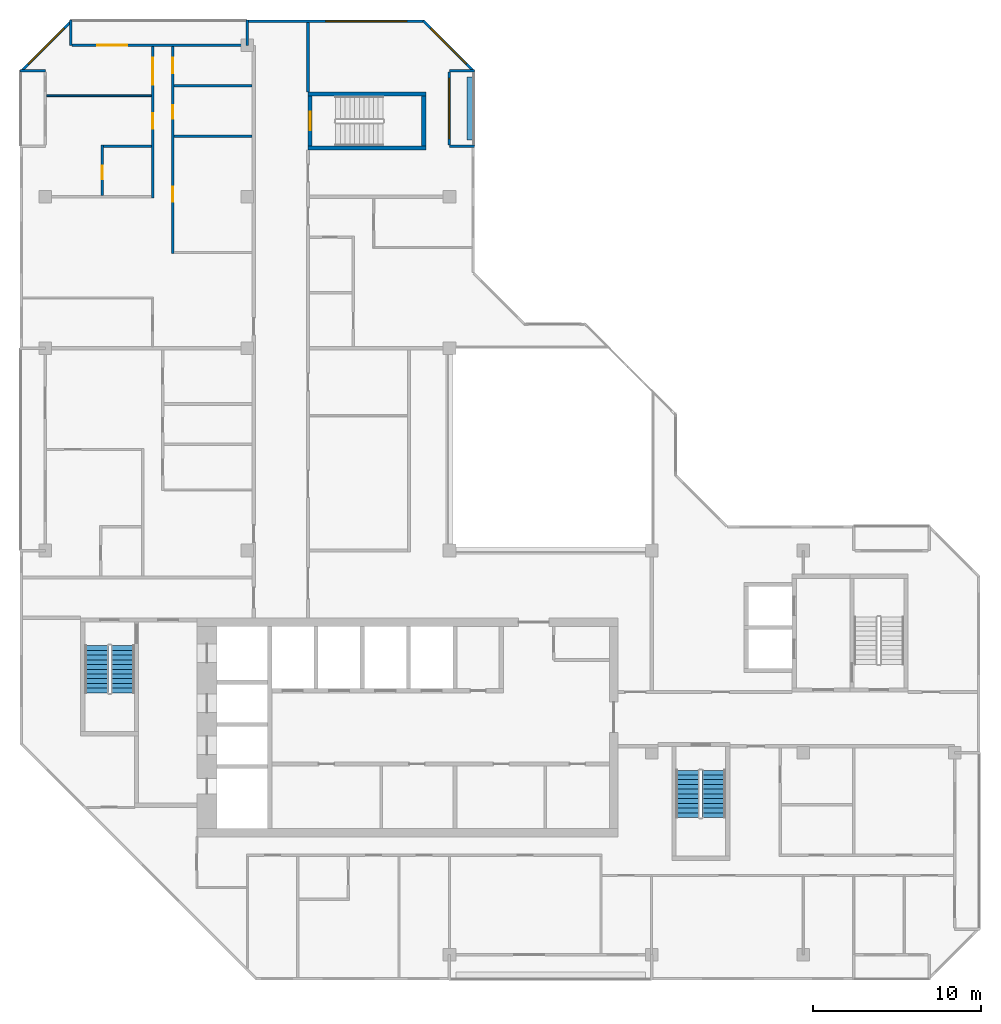
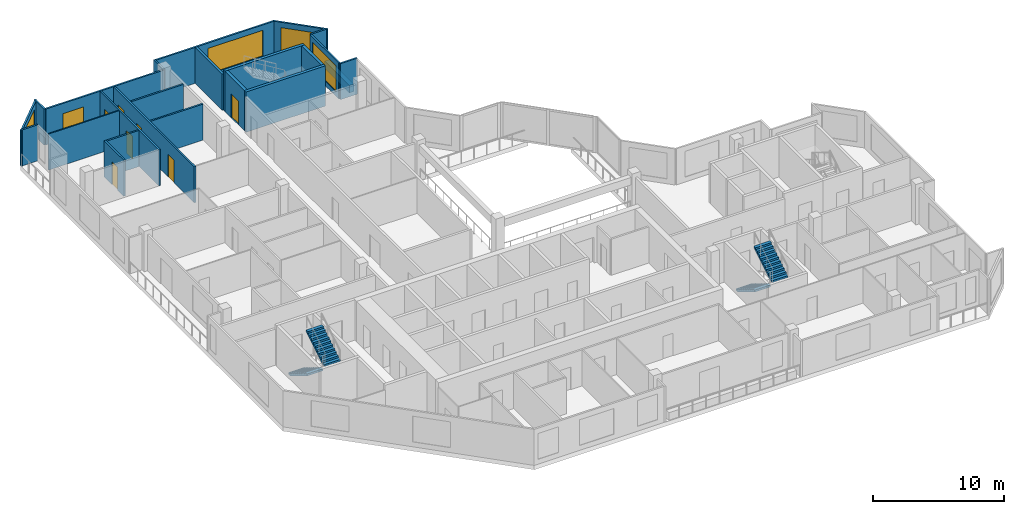
# One storey, part 9 of 12: 23 walls, 8 doors, 4 stair flights, 4 windows, 12 openings, 2 elements without a shape of their own.
"""IFC4 building model written with IfcOpenShell, lengths in metres."""

import ifcopenshell
import ifcopenshell.guid

model = None  # the IFC model being written
_history = None  # IfcOwnerHistory: only IFC2X3 demands one
_inside = {}  # id of a spatial element -> (the spatial element, [elements in it])
_under = {}  # id of a project, library or spatial element -> (it, [spatial elements below it])
_declared = {}  # id of a project -> (the project, [libraries it declares])
_typed = {}  # id of a type object -> (the type object, [elements of that type])
_made_of = {}  # id of a material, layer set ... -> (it, [elements and type objects made of it])


def new_model(schema):
    """Start an empty IFC model of exactly this schema.

    Asked for "IFC4X3", IfcOpenShell would pick the latest addendum, in which some entities
    have other attributes; the version numbers below select the first issue.
    IFC2X3 requires an IfcOwnerHistory on every rooted entity: one is made here for all.
    """
    global model, _history
    if schema == "IFC4X3":
        model = ifcopenshell.file(schema_version=(4, 3, 0, 0))
    else:
        model = ifcopenshell.file(schema=schema)
    _inside.clear()
    _under.clear()
    _declared.clear()
    _typed.clear()
    _made_of.clear()
    _history = None
    if model.schema == "IFC2X3":
        org = make("IfcOrganization", Name="unknown")
        user = make(
            "IfcPersonAndOrganization",
            ThePerson=make("IfcPerson", FamilyName="unknown"),
            TheOrganization=org,
        )
        app = make(
            "IfcApplication",
            ApplicationDeveloper=org,
            Version="unknown",
            ApplicationFullName="unknown",
            ApplicationIdentifier="unknown",
        )
        _history = make(
            "IfcOwnerHistory",
            OwningUser=user,
            OwningApplication=app,
            ChangeAction="ADDED",
            CreationDate=0,
        )
    return model


def make(cls, **values):
    """One entity of the class cls with the attributes given. An attribute that is None is left unset."""
    return model.create_entity(
        cls, **{name: value for name, value in values.items() if value is not None}
    )


def rooted(cls, **values):
    """An entity with a GlobalId (a new one), such as an element, a storey or a relation."""
    return make(cls, GlobalId=ifcopenshell.guid.new(), OwnerHistory=_history, **values)


def si_unit(unit_type, name, prefix=None):
    """IfcSIUnit, for example si_unit("LENGTHUNIT", "METRE", prefix="MILLI")."""
    return make("IfcSIUnit", UnitType=unit_type, Prefix=prefix, Name=name)


def assignment(units):
    """IfcUnitAssignment: the units of a project."""
    return None if units is None else make("IfcUnitAssignment", Units=units)


def point(xyz):
    """IfcCartesianPoint."""
    return None if xyz is None else make("IfcCartesianPoint", Coordinates=xyz)


def direction(xyz):
    """IfcDirection."""
    return None if xyz is None else make("IfcDirection", DirectionRatios=xyz)


def frame(location, z_axis=None, x_axis=None):
    """IfcAxis2Placement3D, a coordinate frame: its origin and axes. An axis left out is left unset."""
    return make(
        "IfcAxis2Placement3D",
        Location=point(location),
        Axis=direction(z_axis),
        RefDirection=direction(x_axis),
    )


def frame_2d(location, x_axis=None):
    """IfcAxis2Placement2D, a coordinate frame in the plane: its origin and x axis."""
    return make(
        "IfcAxis2Placement2D", Location=point(location), RefDirection=direction(x_axis)
    )


def origin():
    """The frame at (0, 0, 0) with its axes left unset."""
    return frame((0.0, 0.0, 0.0))


def place(relative_to, where):
    """IfcLocalPlacement: puts the frame where relative to a parent placement (None: the world)."""
    return make(
        "IfcLocalPlacement", PlacementRelTo=relative_to, RelativePlacement=where
    )


def context(
    kind, dimensions, precision=None, world=None, true_north=None, identifier=None
):
    """IfcGeometricRepresentationContext, for example the 3D "Model" context."""
    return make(
        "IfcGeometricRepresentationContext",
        ContextIdentifier=identifier,
        ContextType=kind,
        CoordinateSpaceDimension=dimensions,
        Precision=precision,
        WorldCoordinateSystem=world,
        TrueNorth=true_north,
    )


def subcontext(parent, identifier, kind, view, scale=None):
    """IfcGeometricRepresentationSubContext, for example "Body" below "Model"."""
    return make(
        "IfcGeometricRepresentationSubContext",
        ContextIdentifier=identifier,
        ContextType=kind,
        ParentContext=parent,
        TargetScale=scale,
        TargetView=view,
    )


def project(units=None, contexts=None):
    """IfcProject with its units and contexts."""
    return rooted(
        "IfcProject",
        Name="project",
        RepresentationContexts=contexts,
        UnitsInContext=assignment(units),
    )


def spatial(cls, under=None, at=None, **own):
    """A site, building, storey or space (cls), placed at a placement, below another one or the project."""
    s = rooted(cls, ObjectPlacement=at, **own)
    if under is not None:
        _under.setdefault(under.id(), (under, []))[1].append(s)
    return s


def polyline(points):
    """IfcPolyline through the points."""
    return make("IfcPolyline", Points=[point(p) for p in points])


def profile(cls, at=None, kind="AREA", **sizes):
    """A parametric profile (cls). Its sizes go by their IFC names, for example OverallWidth=200.0."""
    return make(cls, ProfileType=kind, Position=at, **sizes)


def rectangle(**sizes):
    """IfcRectangleProfileDef."""
    return profile("IfcRectangleProfileDef", **sizes)


def outline(outer, holes=None, kind="AREA"):
    """IfcArbitraryClosedProfileDef: a profile drawn as a closed curve; with holes, ...WithVoids."""
    if holes is None:
        return make("IfcArbitraryClosedProfileDef", ProfileType=kind, OuterCurve=outer)
    return make(
        "IfcArbitraryProfileDefWithVoids",
        ProfileType=kind,
        OuterCurve=outer,
        InnerCurves=holes,
    )


def extrude(swept, where, along, depth):
    """IfcExtrudedAreaSolid: the profile swept, set in the frame where, extruded along a direction by depth."""
    return make(
        "IfcExtrudedAreaSolid",
        SweptArea=swept,
        Position=where,
        ExtrudedDirection=direction(along),
        Depth=depth,
    )


def shape(context_of_items, identifier, shape_type, items):
    """IfcShapeRepresentation: the items that make up one representation, for example the "Body"."""
    return make(
        "IfcShapeRepresentation",
        ContextOfItems=context_of_items,
        RepresentationIdentifier=identifier,
        RepresentationType=shape_type,
        Items=items,
    )


def material(Name=None, Category=None):
    """IfcMaterial."""
    return make("IfcMaterial", Name=Name, Category=Category)


def layer(
    of_material, thickness, ventilated=None, Name=None, Category=None, Priority=None
):
    """IfcMaterialLayer: one layer of a wall or slab, of a material (None: an air gap)."""
    return make(
        "IfcMaterialLayer",
        Material=of_material,
        LayerThickness=thickness,
        IsVentilated=ventilated,
        Name=Name,
        Category=Category,
        Priority=Priority,
    )


def layer_set(layers, Name=None):
    """IfcMaterialLayerSet."""
    return make("IfcMaterialLayerSet", MaterialLayers=layers, LayerSetName=Name)


def made_of(thing, what):
    """Note that an element or type object is made of a material, layer set ...; save() writes the relation."""
    if what is not None:
        _made_of.setdefault(what.id(), (what, []))[1].append(thing)
    return thing


def type_object(cls, material=None, **own):
    """A type object (cls), such as IfcWallType, which elements share."""
    return made_of(rooted(cls, **own), material)


def element(
    cls,
    number,
    at=None,
    inside=None,
    cuts=None,
    type_object=None,
    material=None,
    context=None,
    identifier="Body",
    shape_type=None,
    held_by="IfcProductDefinitionShape",
    body=None,
    shapes=None,
    **own,
):
    """One element of the class cls, such as IfcWall. Its Tag is "e" and its number.

    at: its placement. inside: the storey or other place that contains it. cuts: it is an
    opening in that element (IfcRelVoidsElement). A single representation is given by context,
    identifier, shape_type and body (its items); several are given by shapes. held_by: the class
    of the entity that holds the representations. save() writes the other relations.
    """
    e = rooted(cls, Tag="e%d" % number, ObjectPlacement=at, **own)
    if body is not None:
        shapes = [shape(context, identifier, shape_type, body)]
    if shapes is not None:
        e.Representation = make(held_by, Representations=shapes)
    if inside is not None:
        _inside.setdefault(inside.id(), (inside, []))[1].append(e)
    if cuts is not None:
        rooted(
            "IfcRelVoidsElement", RelatingBuildingElement=cuts, RelatedOpeningElement=e
        )
    if type_object is not None:
        _typed.setdefault(type_object.id(), (type_object, []))[1].append(e)
    return made_of(e, material)


def fill(opening, filler):
    """IfcRelFillsElement: the door or window that sits in an opening."""
    return rooted(
        "IfcRelFillsElement",
        RelatingOpeningElement=opening,
        RelatedBuildingElement=filler,
    )


def aggregate(whole, parts):
    """IfcRelAggregates: a whole, such as a stair, and the parts it consists of."""
    return rooted("IfcRelAggregates", RelatingObject=whole, RelatedObjects=parts)


def save(model, path):
    """Write the relations noted so far, then the file.

    IfcRelAggregates (storeys below a building ...), IfcRelContainedInSpatialStructure (elements
    in a storey), IfcRelDefinesByType, IfcRelAssociatesMaterial and IfcRelDeclares: one each for
    every whole, place, type object, material and project.
    """
    for whole, parts in _under.values():
        aggregate(whole, parts)
    for where, things in _inside.values():
        rooted(
            "IfcRelContainedInSpatialStructure",
            RelatedElements=things,
            RelatingStructure=where,
        )
    for kind, things in _typed.values():
        rooted("IfcRelDefinesByType", RelatedObjects=things, RelatingType=kind)
    for what, things in _made_of.values():
        rooted("IfcRelAssociatesMaterial", RelatedObjects=things, RelatingMaterial=what)
    for by, libraries in _declared.values():
        rooted("IfcRelDeclares", RelatingContext=by, RelatedDefinitions=libraries)
    model.write(path)


model = new_model("IFC4")

# Units and contexts
model_context = context("Model", 3, precision=1e-05, world=origin(), true_north=direction((0.0, 1.0)))
body_context = subcontext(model_context, "Body", "Model", "MODEL_VIEW")
ifc_project = project(units=[si_unit("LENGTHUNIT", "METRE"), si_unit("AREAUNIT", "SQUARE_METRE"), si_unit("VOLUMEUNIT", "CUBIC_METRE"), si_unit("PLANEANGLEUNIT", "RADIAN"), si_unit("MASSUNIT", "GRAM", prefix="KILO")], contexts=[model_context])

# Site, building, storey
site_placement = place(None, origin())
site = spatial("IfcSite", under=ifc_project, at=site_placement, CompositionType="ELEMENT")
building_placement = place(site_placement, origin())
building = spatial("IfcBuilding", under=site, at=building_placement, Name="Chenar Terraces", CompositionType="ELEMENT")
storey_placement = place(building_placement, frame((0.0, 0.0, 372.64990234375)))
storey = spatial("IfcBuildingStorey", under=building, at=storey_placement, Name="L87", CompositionType="ELEMENT", Elevation=372.64990234375)

# Walls
ifc_material_1 = material(Name="Concrete C50/60", Category="concrete")
ifc_layer_1 = layer(ifc_material_1, 0.25)
ifc_layer_set_1 = layer_set([ifc_layer_1], Name="Concrete C50/60")
wall_type_1 = type_object("IfcWallType", Name="Core wall 250 Concrete C50/60", PredefinedType="SHEAR", material=ifc_layer_set_1)
for number, where, z_axis, x_axis, name in (
    (1, (15.60009765625, 47.89990234375, 0.0), (0.0, 0.0, 1.0), (1.0, 0.0, 0.0), "Core wall ST4_S L87"),
    (2, (15.60009765625, 51.10009765625, 0.0), (0.0, 0.0, 1.0), (1.0, 0.0, 0.0), "Core wall ST4_N L87"),
):
    element("IfcWall", number, at=place(storey_placement, frame(where, z_axis=z_axis, x_axis=x_axis)), inside=storey, type_object=wall_type_1, Name=name, PredefinedType="SHEAR", context=body_context, shape_type="SweptSolid", body=[
        extrude(rectangle(XDim=7.0, YDim=0.25, at=frame_2d((3.5, 0.0))), origin(), (0.0, 0.0, 1.0), 3.75),
    ])

# Wall, opening, door
wall_1_placement = place(storey_placement, frame((15.72509765625, 48.02490234375, 0.0), z_axis=(0.0, 0.0, 1.0), x_axis=(0.0, 1.0, 0.0)))
wall_1 = element("IfcWall", 3, at=wall_1_placement, inside=storey, type_object=wall_type_1, Name="Core wall ST4_W L87", PredefinedType="SHEAR", context=body_context, shape_type="SweptSolid", body=[
    extrude(rectangle(XDim=2.9501953125, YDim=0.25, at=frame_2d((1.47509765625, 0.0))), origin(), (0.0, 0.0, 1.0), 3.75),
])
opening_1_placement = place(wall_1_placement, frame((0.925048828125, 0.0, 0.0)))
opening_1 = element("IfcOpeningElement", 4, at=opening_1_placement, cuts=wall_1, Name="Opening DL87-C9", PredefinedType="OPENING", context=body_context, shape_type="SweptSolid", body=[
    extrude(rectangle(XDim=1.10009765625, YDim=2.199951171875, at=frame_2d((0.550048828125, 1.10009765625))), frame((0.0, 0.135009765625, 0.0), z_axis=(0.0, -1.0, 0.0), x_axis=(1.0, 0.0, 0.0)), (0.0, 0.0, 1.0), 0.27001953125),
])
ifc_material_2 = material(Name="Steel-framed fire-resisting door leaf", Category="steel")
door_type_1 = type_object("IfcDoorType", Name="Stair fire door FD60 1100 x 2200", OperationType="SINGLE_SWING_LEFT", PredefinedType="DOOR", material=ifc_material_2)
door_1_placement = place(opening_1_placement, frame((1.10009765625, 0.0, 0.0), z_axis=(0.0, 0.0, 1.0), x_axis=(-1.0, 0.0, 0.0)))
door_1 = element("IfcDoor", 5, at=door_1_placement, inside=storey, type_object=door_type_1, Name="Stair door DL87-C9", OperationType="SINGLE_SWING_RIGHT", OverallHeight=2.199951171875, OverallWidth=1.10009765625, PredefinedType="DOOR", context=body_context, shape_type="SweptSolid", body=[
    extrude(rectangle(XDim=1.10009765625, YDim=2.199951171875, at=frame_2d((0.550048828125, 1.10009765625))), frame((0.0, 0.02490234375, 0.0), z_axis=(0.0, -1.0, 0.0), x_axis=(1.0, 0.0, 0.0)), (0.0, 0.0, 1.0), 0.050048828125),
])
fill(opening_1, door_1)

# Walls
wall_2_placement = place(storey_placement, frame((22.47509765625, 48.02490234375, 0.0), z_axis=(0.0, 0.0, 1.0), x_axis=(0.0, 1.0, 0.0)))
element("IfcWall", 6, at=wall_2_placement, inside=storey, type_object=wall_type_1, Name="Core wall ST4_E L87", PredefinedType="SHEAR", context=body_context, shape_type="SweptSolid", body=[
    extrude(rectangle(XDim=2.9501953125, YDim=0.25, at=frame_2d((1.47509765625, 0.0))), origin(), (0.0, 0.0, 1.0), 3.75),
])
ifc_material_3 = material(Name="Gypsum board on steel studs with fire boards", Category="steel")
ifc_layer_2 = layer(ifc_material_3, 0.199951171875)
ifc_layer_set_2 = layer_set([ifc_layer_2], Name="Gypsum board on steel studs with fire boards")
wall_type_2 = type_object("IfcWallType", Name="Corridor wall 200", PredefinedType="PARTITIONING", material=ifc_layer_set_2)
wall_3_placement = place(storey_placement, frame((15.60009765625, 51.22509765625, 0.0), z_axis=(0.0, 0.0, 1.0), x_axis=(0.0, 1.0, 0.0)))
element("IfcWall", 7, at=wall_3_placement, inside=storey, type_object=wall_type_2, Name="Partition L87-032", PredefinedType="PARTITIONING", context=body_context, shape_type="SweptSolid", body=[
    extrude(rectangle(XDim=4.125, YDim=0.199951171875, at=frame_2d((2.0625, 0.0))), origin(), (0.0, 0.0, 1.0), 3.35009765625),
])

# Wall, opening, window
ifc_material_4 = material(Name="Aluminium framed glazing", Category="aluminium")
ifc_layer_3 = layer(ifc_material_4, 0.14990234375)
ifc_layer_set_3 = layer_set([ifc_layer_3], Name="Aluminium framed glazing")
wall_type_3 = type_object("IfcWallType", Name="Glazed flush facade wall 150", PredefinedType="SOLIDWALL", material=ifc_layer_set_3)
wall_4_placement = place(storey_placement, frame((22.5, 55.425048828125, 0.0), z_axis=(0.0, 0.0, 1.0), x_axis=(-1.0, 0.0, 0.0)))
wall_4 = element("IfcWall", 8, at=wall_4_placement, inside=storey, type_object=wall_type_3, Name="Glazed flush facade wall", PredefinedType="SOLIDWALL", context=body_context, shape_type="SweptSolid", body=[
    extrude(rectangle(XDim=10.425048828125, YDim=0.14990234375, at=frame_2d((5.21240234375, 0.0))), origin(), (0.0, 0.0, 1.0), 3.35009765625),
])
opening_2_placement = place(wall_4_placement, frame((1.050048828125, 0.0, 0.449951171875)))
opening_2 = element("IfcOpeningElement", 9, at=opening_2_placement, cuts=wall_4, Name="Opening W480x240", PredefinedType="OPENING", context=body_context, shape_type="SweptSolid", body=[
    extrude(rectangle(XDim=4.800048828125, YDim=2.39990234375, at=frame_2d((2.39990234375, 1.199951171875))), frame((0.0, 0.0849609375, 0.0), z_axis=(0.0, -1.0, 0.0), x_axis=(1.0, 0.0, 0.0)), (0.0, 0.0, 1.0), 0.169921875),
])
ifc_material_5 = material(Name="Low emissivity double glazing, aluminium frame", Category="aluminium")
window_type_1 = type_object("IfcWindowType", Name="Fixed light 4800 x 2400", PartitioningType="SINGLE_PANEL", PredefinedType="WINDOW", material=ifc_material_5)
window_1_placement = place(opening_2_placement, origin())
window_1 = element("IfcWindow", 10, at=window_1_placement, inside=storey, type_object=window_type_1, Name="Window", OverallHeight=2.39990234375, OverallWidth=4.800048828125, PartitioningType="SINGLE_PANEL", PredefinedType="WINDOW", context=body_context, shape_type="SweptSolid", body=[
    extrude(rectangle(XDim=4.800048828125, YDim=2.39990234375, at=frame_2d((2.39990234375, 1.199951171875))), frame((0.0, 0.030029296875, 0.0), z_axis=(0.0, -1.0, 0.0), x_axis=(1.0, 0.0, 0.0)), (0.0, 0.0, 1.0), 0.06005859375),
])
fill(opening_2, window_1)

ifc_material_6 = material(Name="Aluminium framed glazing", Category="aluminium")
ifc_layer_4 = layer(ifc_material_6, 0.14990234375)
ifc_layer_set_4 = layer_set([ifc_layer_4], Name="Aluminium framed glazing")
wall_type_4 = type_object("IfcWallType", Name="Glazed loggia back wall 150", PredefinedType="SOLIDWALL", material=ifc_layer_set_4)
wall_5_placement = place(storey_placement, frame((24.0, 48.074951171875, 0.0), z_axis=(0.0, 0.0, 1.0), x_axis=(0.0, 1.0, 0.0)))
wall_5 = element("IfcWall", 11, at=wall_5_placement, inside=storey, type_object=wall_type_4, Name="Glazed loggia back wall", PredefinedType="SOLIDWALL", context=body_context, shape_type="SweptSolid", body=[
    extrude(rectangle(XDim=4.35009765625, YDim=0.14990234375, at=frame_2d((2.175048828125, 0.0))), origin(), (0.0, 0.0, 1.0), 3.35009765625),
])
opening_3_placement = place(wall_5_placement, frame((0.375, 0.0, 0.449951171875)))
opening_3 = element("IfcOpeningElement", 12, at=opening_3_placement, cuts=wall_5, Name="Opening W360x240", PredefinedType="OPENING", context=body_context, shape_type="SweptSolid", body=[
    extrude(rectangle(XDim=3.60009765625, YDim=2.39990234375, at=frame_2d((1.800048828125, 1.199951171875))), frame((0.0, 0.0849609375, 0.0), z_axis=(0.0, -1.0, 0.0), x_axis=(1.0, 0.0, 0.0)), (0.0, 0.0, 1.0), 0.169921875),
])
ifc_material_7 = material(Name="Low emissivity double glazing, aluminium frame", Category="aluminium")
window_type_2 = type_object("IfcWindowType", Name="Fixed light 3600 x 2400", PartitioningType="SINGLE_PANEL", PredefinedType="WINDOW", material=ifc_material_7)
window_2_placement = place(opening_3_placement, origin())
window_2 = element("IfcWindow", 13, at=window_2_placement, inside=storey, type_object=window_type_2, Name="Window", OverallHeight=2.39990234375, OverallWidth=3.60009765625, PartitioningType="SINGLE_PANEL", PredefinedType="WINDOW", context=body_context, shape_type="SweptSolid", body=[
    extrude(rectangle(XDim=3.60009765625, YDim=2.39990234375, at=frame_2d((1.800048828125, 1.199951171875))), frame((0.0, 0.030029296875, 0.0), z_axis=(0.0, -1.0, 0.0), x_axis=(1.0, 0.0, 0.0)), (0.0, 0.0, 1.0), 0.06005859375),
])
fill(opening_3, window_2)

# Wall, opening, door
wall_6_placement = place(storey_placement, frame((11.925048828125, 54.0, 0.0), z_axis=(0.0, 0.0, 1.0), x_axis=(-1.0, 0.0, 0.0)))
wall_6 = element("IfcWall", 14, at=wall_6_placement, inside=storey, type_object=wall_type_4, Name="Glazed loggia back wall", PredefinedType="SOLIDWALL", context=body_context, shape_type="SweptSolid", body=[
    extrude(rectangle(XDim=10.35009765625, YDim=0.14990234375, at=frame_2d((5.175048828125, 0.0))), origin(), (0.0, 0.0, 1.0), 3.35009765625),
])
opening_4_placement = place(wall_6_placement, frame((7.050048828125, 0.0, 0.0)))
opening_4 = element("IfcOpeningElement", 15, at=opening_4_placement, cuts=wall_6, Name="Opening DL87-G1", PredefinedType="OPENING", context=body_context, shape_type="SweptSolid", body=[
    extrude(rectangle(XDim=1.800048828125, YDim=2.39990234375, at=frame_2d((0.89990234375, 1.199951171875))), frame((0.0, 0.0849609375, 0.0), z_axis=(0.0, -1.0, 0.0), x_axis=(1.0, 0.0, 0.0)), (0.0, 0.0, 1.0), 0.169921875),
])
ifc_material_8 = material(Name="Low emissivity double glazing, aluminium frame", Category="aluminium")
door_type_2 = type_object("IfcDoorType", Name="Loggia glazed double door 1800 x 2400", OperationType="DOUBLE_DOOR_SINGLE_SWING", PredefinedType="DOOR", material=ifc_material_8)
door_2_placement = place(opening_4_placement, frame((1.800048828125, 0.0, 0.0), z_axis=(0.0, 0.0, 1.0), x_axis=(-1.0, 0.0, 0.0)))
door_2 = element("IfcDoor", 16, at=door_2_placement, inside=storey, type_object=door_type_2, Name="Loggia glazed door", OperationType="DOUBLE_DOOR_SINGLE_SWING", OverallHeight=2.39990234375, OverallWidth=1.800048828125, PredefinedType="DOOR", context=body_context, shape_type="SweptSolid", body=[
    extrude(rectangle(XDim=1.800048828125, YDim=2.39990234375, at=frame_2d((0.89990234375, 1.199951171875))), frame((0.0, 0.02490234375, 0.0), z_axis=(0.0, -1.0, 0.0), x_axis=(1.0, 0.0, 0.0)), (0.0, 0.0, 1.0), 0.050048828125),
])
fill(opening_4, door_2)

# Walls
ifc_material_9 = material(Name="Gypsum board on steel studs", Category="steel")
ifc_layer_5 = layer(ifc_material_9, 0.10009765625)
ifc_layer_set_5 = layer_set([ifc_layer_5], Name="Gypsum board on steel studs")
wall_type_5 = type_object("IfcWallType", Name="Gypsum partition 100", PredefinedType="PARTITIONING", material=ifc_layer_set_5)
wall_7_placement = place(storey_placement, frame((0.073974609375, 51.0, 0.0), z_axis=(0.0, 0.0, 1.0), x_axis=(1.0, 0.0, 0.0)))
element("IfcWall", 17, at=wall_7_placement, inside=storey, type_object=wall_type_5, Name="Partition L87-007", PredefinedType="PARTITIONING", context=body_context, shape_type="SweptSolid", body=[
    extrude(rectangle(XDim=6.22607421875, YDim=0.10009765625, at=frame_2d((3.113037109375, 0.0))), origin(), (0.0, 0.0, 1.0), 3.35009765625),
])
ifc_material_10 = material(Name="Terracotta cladding on insulated backing", Category="masonry")
ifc_layer_6 = layer(ifc_material_10, 0.14990234375)
ifc_layer_set_6 = layer_set([ifc_layer_6], Name="Terracotta cladding on insulated backing")
wall_type_6 = type_object("IfcWallType", Name="Loggia return wall 150", PredefinedType="SOLIDWALL", material=ifc_layer_set_6)
for number, where, z_axis, x_axis, name in (
    (18, (25.5, 48.0, 0.0), (0.0, 0.0, 1.0), (-1.0, 0.0, 0.0), "Loggia return wall"),
    (19, (25.5, 52.5, 0.0), (0.0, 0.0, 1.0), (-1.0, 0.0, 0.0), "Loggia return wall"),
    (20, (12.0, 55.5, 0.0), (0.0, 0.0, 1.0), (0.0, -1.0, 0.0), "Loggia return wall"),
    (21, (1.5, 55.5, 0.0), (0.0, 0.0, 1.0), (0.0, -1.0, 0.0), "Loggia return wall"),
    (22, (-1.5, 52.5, 0.0), (0.0, 0.0, 1.0), (1.0, 0.0, 0.0), "Loggia return wall"),
):
    element("IfcWall", number, at=place(storey_placement, frame(where, z_axis=z_axis, x_axis=x_axis)), inside=storey, type_object=wall_type_6, Name=name, PredefinedType="SOLIDWALL", context=body_context, shape_type="SweptSolid", body=[
        extrude(rectangle(XDim=1.5, YDim=0.14990234375, at=frame_2d((0.75, 0.0))), origin(), (0.0, 0.0, 1.0), 3.35009765625),
    ])

# Wall, opening, window
ifc_material_11 = material(Name="Terracotta cladding on insulated backing", Category="masonry")
ifc_layer_7 = layer(ifc_material_11, 0.14990234375)
ifc_layer_set_7 = layer_set([ifc_layer_7], Name="Terracotta cladding on insulated backing")
wall_type_7 = type_object("IfcWallType", Name="Terracotta rainscreen wall 150", PredefinedType="SOLIDWALL", material=ifc_layer_set_7)
wall_8_placement = place(storey_placement, frame((25.447021484375, 52.447021484375, 0.0), z_axis=(0.0, 0.0, 1.0), x_axis=(-0.707106781187, 0.707106781187, 0.0)))
wall_8 = element("IfcWall", 23, at=wall_8_placement, inside=storey, type_object=wall_type_7, Name="Terracotta rainscreen wall", PredefinedType="SOLIDWALL", context=body_context, shape_type="SweptSolid", body=[
    extrude(rectangle(XDim=4.24267578125, YDim=0.14990234375, at=frame_2d((2.121337890625, 0.0))), origin(), (0.0, 0.0, 1.0), 3.35009765625),
])
opening_5_placement = place(wall_8_placement, frame((0.621337890625, 0.0, 0.449951171875)))
opening_5 = element("IfcOpeningElement", 24, at=opening_5_placement, cuts=wall_8, Name="Opening W300x240", PredefinedType="OPENING", context=body_context, shape_type="SweptSolid", body=[
    extrude(rectangle(XDim=3.0, YDim=2.39990234375, at=frame_2d((1.5, 1.199951171875))), frame((0.0, 0.0849609375, 0.0), z_axis=(0.0, -1.0, 0.0), x_axis=(1.0, 0.0, 0.0)), (0.0, 0.0, 1.0), 0.169921875),
])
ifc_material_12 = material(Name="Low emissivity double glazing, aluminium frame", Category="aluminium")
window_type_3 = type_object("IfcWindowType", Name="Fixed light 3000 x 2400", PartitioningType="SINGLE_PANEL", PredefinedType="WINDOW", material=ifc_material_12)
window_3_placement = place(opening_5_placement, origin())
window_3 = element("IfcWindow", 25, at=window_3_placement, inside=storey, type_object=window_type_3, Name="Window", OverallHeight=2.39990234375, OverallWidth=3.0, PartitioningType="SINGLE_PANEL", PredefinedType="WINDOW", context=body_context, shape_type="SweptSolid", body=[
    extrude(rectangle(XDim=3.0, YDim=2.39990234375, at=frame_2d((1.5, 1.199951171875))), frame((0.0, 0.030029296875, 0.0), z_axis=(0.0, -1.0, 0.0), x_axis=(1.0, 0.0, 0.0)), (0.0, 0.0, 1.0), 0.06005859375),
])
fill(opening_5, window_3)

wall_9_placement = place(storey_placement, frame((1.552978515625, 55.447021484375, 0.0), z_axis=(0.0, 0.0, 1.0), x_axis=(-0.707106781187, -0.707106781187, 0.0)))
wall_9 = element("IfcWall", 26, at=wall_9_placement, inside=storey, type_object=wall_type_7, Name="Terracotta rainscreen wall", PredefinedType="SOLIDWALL", context=body_context, shape_type="SweptSolid", body=[
    extrude(rectangle(XDim=4.24267578125, YDim=0.14990234375, at=frame_2d((2.121337890625, 0.0))), origin(), (0.0, 0.0, 1.0), 3.35009765625),
])
opening_6_placement = place(wall_9_placement, frame((0.621337890625, 0.0, 0.449951171875)))
opening_6 = element("IfcOpeningElement", 27, at=opening_6_placement, cuts=wall_9, Name="Opening W300x240", PredefinedType="OPENING", context=body_context, shape_type="SweptSolid", body=[
    extrude(rectangle(XDim=3.0, YDim=2.39990234375, at=frame_2d((1.5, 1.199951171875))), frame((0.0, 0.0849609375, 0.0), z_axis=(0.0, -1.0, 0.0), x_axis=(1.0, 0.0, 0.0)), (0.0, 0.0, 1.0), 0.169921875),
])
window_4_placement = place(opening_6_placement, origin())
window_4 = element("IfcWindow", 28, at=window_4_placement, inside=storey, type_object=window_type_3, Name="Window", OverallHeight=2.39990234375, OverallWidth=3.0, PartitioningType="SINGLE_PANEL", PredefinedType="WINDOW", context=body_context, shape_type="SweptSolid", body=[
    extrude(rectangle(XDim=3.0, YDim=2.39990234375, at=frame_2d((1.5, 1.199951171875))), frame((0.0, 0.030029296875, 0.0), z_axis=(0.0, -1.0, 0.0), x_axis=(1.0, 0.0, 0.0)), (0.0, 0.0, 1.0), 0.06005859375),
])
fill(opening_6, window_4)

# Wall
ifc_material_13 = material(Name="GRP planter trough")
ifc_layer_8 = layer(ifc_material_13, 0.39990234375)
ifc_layer_set_8 = layer_set([ifc_layer_8], Name="GRP planter trough")
wall_type_8 = type_object("IfcWallType", Name="Vertical greenery planter 400", PredefinedType="SOLIDWALL", material=ifc_layer_set_8)
wall_10_placement = place(storey_placement, frame((25.22900390625, 48.375, 0.0), z_axis=(0.0, 0.0, 1.0), x_axis=(0.0, 1.0, 0.0)))
element("IfcWall", 29, at=wall_10_placement, inside=storey, type_object=wall_type_8, Name="Vertical greenery planter", PredefinedType="SOLIDWALL", context=body_context, shape_type="SweptSolid", body=[
    extrude(rectangle(XDim=3.75, YDim=0.39990234375, at=frame_2d((1.875, 0.0))), origin(), (0.0, 0.0, 1.0), 0.7001953125),
])

# Wall, opening, door
ifc_material_14 = material(Name="Moisture-resistant gypsum board on steel studs", Category="steel")
ifc_layer_9 = layer(ifc_material_14, 0.14990234375)
ifc_layer_set_9 = layer_set([ifc_layer_9], Name="Moisture-resistant gypsum board on steel studs")
wall_type_9 = type_object("IfcWallType", Name="Wet-room partition 150", PredefinedType="PARTITIONING", material=ifc_layer_set_9)
wall_11_placement = place(storey_placement, frame((3.375, 45.074951171875, 0.0), z_axis=(0.0, 0.0, 1.0), x_axis=(0.0, 1.0, 0.0)))
wall_11 = element("IfcWall", 30, at=wall_11_placement, inside=storey, type_object=wall_type_9, Name="Partition L87-011", PredefinedType="PARTITIONING", context=body_context, shape_type="SweptSolid", body=[
    extrude(rectangle(XDim=3.0, YDim=0.14990234375, at=frame_2d((1.5, 0.0))), origin(), (0.0, 0.0, 1.0), 3.35009765625),
])
opening_7_placement = place(wall_11_placement, frame((0.97509765625, 0.0, 0.0)))
opening_7 = element("IfcOpeningElement", 31, at=opening_7_placement, cuts=wall_11, Name="Opening DL87-11", PredefinedType="OPENING", context=body_context, shape_type="SweptSolid", body=[
    extrude(rectangle(XDim=0.800048828125, YDim=2.10009765625, at=frame_2d((0.39990234375, 1.050048828125))), frame((0.0, 0.0849609375, 0.0), z_axis=(0.0, -1.0, 0.0), x_axis=(1.0, 0.0, 0.0)), (0.0, 0.0, 1.0), 0.169921875),
])
ifc_material_15 = material(Name="Veneered timber door leaf", Category="wood")
door_type_3 = type_object("IfcDoorType", Name="Door 800 x 2100", OperationType="SINGLE_SWING_LEFT", PredefinedType="DOOR", material=ifc_material_15)
door_3_placement = place(opening_7_placement, frame((0.800048828125, 0.0, 0.0), z_axis=(0.0, 0.0, 1.0), x_axis=(-1.0, 0.0, 0.0)))
door_3 = element("IfcDoor", 32, at=door_3_placement, inside=storey, type_object=door_type_3, Name="Door DL87-11", OperationType="SINGLE_SWING_RIGHT", OverallHeight=2.10009765625, OverallWidth=0.800048828125, PredefinedType="DOOR", context=body_context, shape_type="SweptSolid", body=[
    extrude(rectangle(XDim=0.800048828125, YDim=2.10009765625, at=frame_2d((0.39990234375, 1.050048828125))), frame((0.0, 0.02490234375, 0.0), z_axis=(0.0, -1.0, 0.0), x_axis=(1.0, 0.0, 0.0)), (0.0, 0.0, 1.0), 0.050048828125),
])
fill(opening_7, door_3)

# Wall
wall_12_placement = place(storey_placement, frame((3.449951171875, 48.0, 0.0), z_axis=(0.0, 0.0, 1.0), x_axis=(1.0, 0.0, 0.0)))
element("IfcWall", 33, at=wall_12_placement, inside=storey, type_object=wall_type_9, Name="Partition L87-012", PredefinedType="PARTITIONING", context=body_context, shape_type="SweptSolid", body=[
    extrude(rectangle(XDim=2.85009765625, YDim=0.14990234375, at=frame_2d((1.425048828125, 0.0))), origin(), (0.0, 0.0, 1.0), 3.35009765625),
])

# Wall, openings, doors
wall_13_placement = place(storey_placement, frame((6.375, 44.925048828125, 0.0), z_axis=(0.0, 0.0, 1.0), x_axis=(0.0, 1.0, 0.0)))
wall_13 = element("IfcWall", 34, at=wall_13_placement, inside=storey, type_object=wall_type_9, Name="Partition L87-015", PredefinedType="PARTITIONING", context=body_context, shape_type="SweptSolid", body=[
    extrude(rectangle(XDim=9.0009765625, YDim=0.14990234375, at=frame_2d((4.50048828125, 0.0))), origin(), (0.0, 0.0, 1.0), 3.35009765625),
])
opening_8_placement = place(wall_13_placement, frame((4.125, 0.0, 0.0)))
opening_8 = element("IfcOpeningElement", 35, at=opening_8_placement, cuts=wall_13, Name="Opening DL87-10", PredefinedType="OPENING", context=body_context, shape_type="SweptSolid", body=[
    extrude(rectangle(XDim=0.89990234375, YDim=2.10009765625, at=frame_2d((0.449951171875, 1.050048828125))), frame((0.0, 0.0849609375, 0.0), z_axis=(0.0, -1.0, 0.0), x_axis=(1.0, 0.0, 0.0)), (0.0, 0.0, 1.0), 0.169921875),
])
opening_9_placement = place(wall_13_placement, frame((6.72509765625, 0.0, 0.0)))
opening_9 = element("IfcOpeningElement", 36, at=opening_9_placement, cuts=wall_13, Name="Opening DL87-14", PredefinedType="OPENING", context=body_context, shape_type="SweptSolid", body=[
    extrude(rectangle(XDim=1.60009765625, YDim=2.10009765625, at=frame_2d((0.800048828125, 1.050048828125))), frame((0.0, 0.0849609375, 0.0), z_axis=(0.0, -1.0, 0.0), x_axis=(1.0, 0.0, 0.0)), (0.0, 0.0, 1.0), 0.169921875),
])
ifc_material_16 = material(Name="Veneered timber door leaf", Category="wood")
door_type_4 = type_object("IfcDoorType", Name="Door 900 x 2100", OperationType="SINGLE_SWING_LEFT", PredefinedType="DOOR", material=ifc_material_16)
door_4_placement = place(opening_8_placement, origin())
door_4 = element("IfcDoor", 37, at=door_4_placement, inside=storey, type_object=door_type_4, Name="Door DL87-10", OperationType="SINGLE_SWING_LEFT", OverallHeight=2.10009765625, OverallWidth=0.89990234375, PredefinedType="DOOR", context=body_context, shape_type="SweptSolid", body=[
    extrude(rectangle(XDim=0.89990234375, YDim=2.10009765625, at=frame_2d((0.449951171875, 1.050048828125))), frame((0.0, 0.02490234375, 0.0), z_axis=(0.0, -1.0, 0.0), x_axis=(1.0, 0.0, 0.0)), (0.0, 0.0, 1.0), 0.050048828125),
])
fill(opening_8, door_4)
ifc_material_17 = material(Name="Veneered timber door leaf", Category="wood")
door_type_5 = type_object("IfcDoorType", Name="Double door 1600 x 2100", OperationType="DOUBLE_DOOR_SINGLE_SWING", PredefinedType="DOOR", material=ifc_material_17)
door_5_placement = place(opening_9_placement, origin())
door_5 = element("IfcDoor", 38, at=door_5_placement, inside=storey, type_object=door_type_5, Name="Door DL87-14", OperationType="DOUBLE_DOOR_SINGLE_SWING", OverallHeight=2.10009765625, OverallWidth=1.60009765625, PredefinedType="DOOR", context=body_context, shape_type="SweptSolid", body=[
    extrude(rectangle(XDim=1.60009765625, YDim=2.10009765625, at=frame_2d((0.800048828125, 1.050048828125))), frame((0.0, 0.02490234375, 0.0), z_axis=(0.0, -1.0, 0.0), x_axis=(1.0, 0.0, 0.0)), (0.0, 0.0, 1.0), 0.050048828125),
])
fill(opening_9, door_5)

wall_14_placement = place(storey_placement, frame((7.574951171875, 41.64990234375, 0.0), z_axis=(0.0, 0.0, 1.0), x_axis=(0.0, 1.0, 0.0)))
wall_14 = element("IfcWall", 39, at=wall_14_placement, inside=storey, type_object=wall_type_9, Name="Partition L87-020", PredefinedType="PARTITIONING", context=body_context, shape_type="SweptSolid", body=[
    extrude(rectangle(XDim=12.276123046875, YDim=0.14990234375, at=frame_2d((6.13818359375, 0.0))), origin(), (0.0, 0.0, 1.0), 3.35009765625),
])
opening_10_placement = place(wall_14_placement, frame((8.0, 0.0, 0.0)))
opening_10 = element("IfcOpeningElement", 40, at=opening_10_placement, cuts=wall_14, Name="Opening DL87-8", PredefinedType="OPENING", context=body_context, shape_type="SweptSolid", body=[
    extrude(rectangle(XDim=0.800048828125, YDim=2.10009765625, at=frame_2d((0.39990234375, 1.050048828125))), frame((0.0, 0.0849609375, 0.0), z_axis=(0.0, -1.0, 0.0), x_axis=(1.0, 0.0, 0.0)), (0.0, 0.0, 1.0), 0.169921875),
])
opening_11_placement = place(wall_14_placement, frame((3.050048828125, 0.0, 0.0)))
opening_11 = element("IfcOpeningElement", 41, at=opening_11_placement, cuts=wall_14, Name="Opening DL87-12", PredefinedType="OPENING", context=body_context, shape_type="SweptSolid", body=[
    extrude(rectangle(XDim=0.89990234375, YDim=2.10009765625, at=frame_2d((0.449951171875, 1.050048828125))), frame((0.0, 0.0849609375, 0.0), z_axis=(0.0, -1.0, 0.0), x_axis=(1.0, 0.0, 0.0)), (0.0, 0.0, 1.0), 0.169921875),
])
opening_12_placement = place(wall_14_placement, frame((10.699951171875, 0.0, 0.0)))
opening_12 = element("IfcOpeningElement", 42, at=opening_12_placement, cuts=wall_14, Name="Opening DL87-15", PredefinedType="OPENING", context=body_context, shape_type="SweptSolid", body=[
    extrude(rectangle(XDim=0.89990234375, YDim=2.10009765625, at=frame_2d((0.449951171875, 1.050048828125))), frame((0.0, 0.0849609375, 0.0), z_axis=(0.0, -1.0, 0.0), x_axis=(1.0, 0.0, 0.0)), (0.0, 0.0, 1.0), 0.169921875),
])
door_6_placement = place(opening_10_placement, frame((0.800048828125, 0.0, 0.0), z_axis=(0.0, 0.0, 1.0), x_axis=(-1.0, 0.0, 0.0)))
door_6 = element("IfcDoor", 43, at=door_6_placement, inside=storey, type_object=door_type_3, Name="Door DL87-8", OperationType="SINGLE_SWING_RIGHT", OverallHeight=2.10009765625, OverallWidth=0.800048828125, PredefinedType="DOOR", context=body_context, shape_type="SweptSolid", body=[
    extrude(rectangle(XDim=0.800048828125, YDim=2.10009765625, at=frame_2d((0.39990234375, 1.050048828125))), frame((0.0, 0.02490234375, 0.0), z_axis=(0.0, -1.0, 0.0), x_axis=(1.0, 0.0, 0.0)), (0.0, 0.0, 1.0), 0.050048828125),
])
fill(opening_10, door_6)
door_7_placement = place(opening_11_placement, frame((0.89990234375, 0.0, 0.0), z_axis=(0.0, 0.0, 1.0), x_axis=(-1.0, 0.0, 0.0)))
door_7 = element("IfcDoor", 44, at=door_7_placement, inside=storey, type_object=door_type_4, Name="Door DL87-12", OperationType="SINGLE_SWING_LEFT", OverallHeight=2.10009765625, OverallWidth=0.89990234375, PredefinedType="DOOR", context=body_context, shape_type="SweptSolid", body=[
    extrude(rectangle(XDim=0.89990234375, YDim=2.10009765625, at=frame_2d((0.449951171875, 1.050048828125))), frame((0.0, 0.02490234375, 0.0), z_axis=(0.0, -1.0, 0.0), x_axis=(1.0, 0.0, 0.0)), (0.0, 0.0, 1.0), 0.050048828125),
])
fill(opening_11, door_7)
door_8_placement = place(opening_12_placement, frame((0.89990234375, 0.0, 0.0), z_axis=(0.0, 0.0, 1.0), x_axis=(-1.0, 0.0, 0.0)))
door_8 = element("IfcDoor", 45, at=door_8_placement, inside=storey, type_object=door_type_4, Name="Door DL87-15", OperationType="SINGLE_SWING_RIGHT", OverallHeight=2.10009765625, OverallWidth=0.89990234375, PredefinedType="DOOR", context=body_context, shape_type="SweptSolid", body=[
    extrude(rectangle(XDim=0.89990234375, YDim=2.10009765625, at=frame_2d((0.449951171875, 1.050048828125))), frame((0.0, 0.02490234375, 0.0), z_axis=(0.0, -1.0, 0.0), x_axis=(1.0, 0.0, 0.0)), (0.0, 0.0, 1.0), 0.050048828125),
])
fill(opening_12, door_8)

# Walls
for number, where, z_axis, x_axis, name in (
    (46, (7.64990234375, 48.60009765625, 0.0), (0.0, 0.0, 1.0), (1.0, 0.0, 0.0), "Partition L87-022"),
    (47, (7.64990234375, 51.60009765625, 0.0), (0.0, 0.0, 1.0), (1.0, 0.0, 0.0), "Partition L87-023"),
):
    element("IfcWall", number, at=place(storey_placement, frame(where, z_axis=z_axis, x_axis=x_axis)), inside=storey, type_object=wall_type_9, Name=name, PredefinedType="PARTITIONING", context=body_context, shape_type="SweptSolid", body=[
        extrude(rectangle(XDim=4.625, YDim=0.14990234375, at=frame_2d((2.3125, 0.0))), origin(), (0.0, 0.0, 1.0), 3.35009765625),
    ])

# Stair, stair flights
ifc_material_18 = material(Name="Reinforced concrete C40/50", Category="concrete")
stair_type = type_object("IfcStairType", Name="Core stair 1400 half-turn", PredefinedType="HALF_TURN_STAIR", material=ifc_material_18)
placement = place(storey_placement, origin())
stair_1 = element("IfcStair", 48, at=placement, inside=storey, type_object=stair_type, Name="L87 Stair 1", PredefinedType="HALF_TURN_STAIR")
ifc_material_19 = material(Name="Reinforced concrete C40/50", Category="concrete")
stair_flight_type = type_object("IfcStairFlightType", Name="Core stair flight 1400", PredefinedType="STRAIGHT", material=ifc_material_19)
stair_flight_1_placement = place(storey_placement, frame((3.050048828125, 18.35009765625, 0.0), z_axis=(0.0, 0.0, 1.0), x_axis=(0.0, -1.0, 0.0)))
stair_flight_1 = element("IfcStairFlight", 49, at=stair_flight_1_placement, type_object=stair_flight_type, Name="ST1 flight 1", NumberOfRisers=11, NumberOfTreads=10, PredefinedType="STRAIGHT", RiserHeight=0.170454545, TreadLength=0.28, context=body_context, shape_type="SweptSolid", body=[
    extrude(outline(polyline([(-0.0029296875, 0.0), (-0.0029296875, 0.17041015625), (0.0, 0.17041015625), (0.280029296875, 0.17041015625), (0.280029296875, 0.3408203125), (0.56005859375, 0.3408203125), (0.56005859375, 0.511474609375), (0.840087890625, 0.511474609375), (0.840087890625, 0.681884765625), (1.1201171875, 0.681884765625), (1.1201171875, 0.852294921875), (1.39990234375, 0.852294921875), (1.39990234375, 1.022705078125), (1.679931640625, 1.022705078125), (1.679931640625, 1.193115234375), (1.9599609375, 1.193115234375), (1.9599609375, 1.363525390625), (2.239990234375, 1.363525390625), (2.239990234375, 1.5341796875), (2.52001953125, 1.5341796875), (2.52001953125, 1.70458984375), (2.800048828125, 1.70458984375), (2.802978515625, 1.70458984375), (2.802978515625, 1.529052734375), (2.800048828125, 1.529052734375), (0.288330078125, 0.0), (-0.0029296875, 0.0)])), frame((0.0, 0.699951171875, 0.0), z_axis=(0.0, -1.0, 0.0), x_axis=(1.0, 0.0, 0.0)), (0.0, 0.0, 1.0), 1.39990234375),
])
stair_flight_2_placement = place(storey_placement, frame((4.60009765625, 15.550048828125, 1.875), z_axis=(0.0, 0.0, 1.0), x_axis=(0.0, 1.0, 0.0)))
stair_flight_2 = element("IfcStairFlight", 50, at=stair_flight_2_placement, type_object=stair_flight_type, Name="ST1 flight 2", NumberOfRisers=11, NumberOfTreads=10, PredefinedType="STRAIGHT", RiserHeight=0.170454545, TreadLength=0.28, context=body_context, shape_type="SweptSolid", body=[
    extrude(outline(polyline([(-0.0029296875, 0.0), (-0.0029296875, 0.17041015625), (0.0, 0.17041015625), (0.280029296875, 0.17041015625), (0.280029296875, 0.3408203125), (0.56005859375, 0.3408203125), (0.56005859375, 0.511474609375), (0.840087890625, 0.511474609375), (0.840087890625, 0.681884765625), (1.1201171875, 0.681884765625), (1.1201171875, 0.852294921875), (1.39990234375, 0.852294921875), (1.39990234375, 1.022705078125), (1.679931640625, 1.022705078125), (1.679931640625, 1.193115234375), (1.9599609375, 1.193115234375), (1.9599609375, 1.363525390625), (2.239990234375, 1.363525390625), (2.239990234375, 1.5341796875), (2.52001953125, 1.5341796875), (2.52001953125, 1.70458984375), (2.800048828125, 1.70458984375), (2.802978515625, 1.70458984375), (2.802978515625, 1.529052734375), (2.800048828125, 1.529052734375), (0.288330078125, 0.0), (-0.0029296875, 0.0)])), frame((0.0, 0.699951171875, 0.0), z_axis=(0.0, -1.0, 0.0), x_axis=(1.0, 0.0, 0.0)), (0.0, 0.0, 1.0), 1.39990234375),
])
aggregate(stair_1, [stair_flight_1, stair_flight_2])

stair_2 = element("IfcStair", 51, at=placement, inside=storey, type_object=stair_type, Name="L87 Stair 2", PredefinedType="HALF_TURN_STAIR")
stair_flight_3_placement = place(storey_placement, frame((38.14990234375, 10.949951171875, 0.0), z_axis=(0.0, 0.0, 1.0), x_axis=(0.0, -1.0, 0.0)))
stair_flight_3 = element("IfcStairFlight", 52, at=stair_flight_3_placement, type_object=stair_flight_type, Name="ST2 flight 1", NumberOfRisers=11, NumberOfTreads=10, PredefinedType="STRAIGHT", RiserHeight=0.170454545, TreadLength=0.28, context=body_context, shape_type="SweptSolid", body=[
    extrude(outline(polyline([(-0.0029296875, 0.0), (-0.0029296875, 0.17041015625), (0.0, 0.17041015625), (0.280029296875, 0.17041015625), (0.280029296875, 0.3408203125), (0.56005859375, 0.3408203125), (0.56005859375, 0.511474609375), (0.840087890625, 0.511474609375), (0.840087890625, 0.681884765625), (1.1201171875, 0.681884765625), (1.1201171875, 0.852294921875), (1.39990234375, 0.852294921875), (1.39990234375, 1.022705078125), (1.679931640625, 1.022705078125), (1.679931640625, 1.193115234375), (1.9599609375, 1.193115234375), (1.9599609375, 1.363525390625), (2.239990234375, 1.363525390625), (2.239990234375, 1.5341796875), (2.52001953125, 1.5341796875), (2.52001953125, 1.70458984375), (2.800048828125, 1.70458984375), (2.802978515625, 1.70458984375), (2.802978515625, 1.529052734375), (2.800048828125, 1.529052734375), (0.288330078125, 0.0), (-0.0029296875, 0.0)])), frame((0.0, 0.699951171875, 0.0), z_axis=(0.0, -1.0, 0.0), x_axis=(1.0, 0.0, 0.0)), (0.0, 0.0, 1.0), 1.39990234375),
])
stair_flight_4_placement = place(storey_placement, frame((39.699951171875, 8.14990234375, 1.875), z_axis=(0.0, 0.0, 1.0), x_axis=(0.0, 1.0, 0.0)))
stair_flight_4 = element("IfcStairFlight", 53, at=stair_flight_4_placement, type_object=stair_flight_type, Name="ST2 flight 2", NumberOfRisers=11, NumberOfTreads=10, PredefinedType="STRAIGHT", RiserHeight=0.170454545, TreadLength=0.28, context=body_context, shape_type="SweptSolid", body=[
    extrude(outline(polyline([(-0.0029296875, 0.0), (-0.0029296875, 0.17041015625), (0.0, 0.17041015625), (0.280029296875, 0.17041015625), (0.280029296875, 0.3408203125), (0.56005859375, 0.3408203125), (0.56005859375, 0.511474609375), (0.840087890625, 0.511474609375), (0.840087890625, 0.681884765625), (1.1201171875, 0.681884765625), (1.1201171875, 0.852294921875), (1.39990234375, 0.852294921875), (1.39990234375, 1.022705078125), (1.679931640625, 1.022705078125), (1.679931640625, 1.193115234375), (1.9599609375, 1.193115234375), (1.9599609375, 1.363525390625), (2.239990234375, 1.363525390625), (2.239990234375, 1.5341796875), (2.52001953125, 1.5341796875), (2.52001953125, 1.70458984375), (2.800048828125, 1.70458984375), (2.802978515625, 1.70458984375), (2.802978515625, 1.529052734375), (2.800048828125, 1.529052734375), (0.288330078125, 0.0), (-0.0029296875, 0.0)])), frame((0.0, 0.699951171875, 0.0), z_axis=(0.0, -1.0, 0.0), x_axis=(1.0, 0.0, 0.0)), (0.0, 0.0, 1.0), 1.39990234375),
])
aggregate(stair_2, [stair_flight_3, stair_flight_4])

save(model, "model.ifc")
